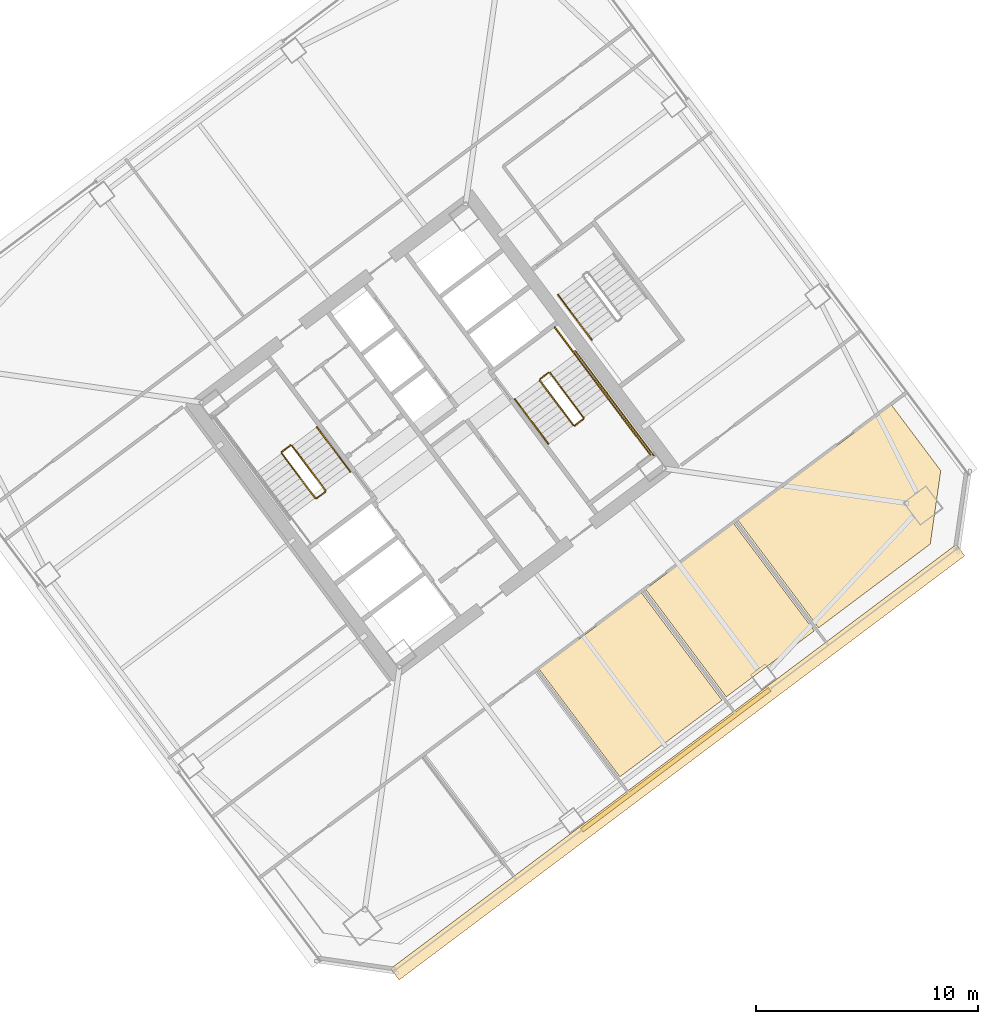
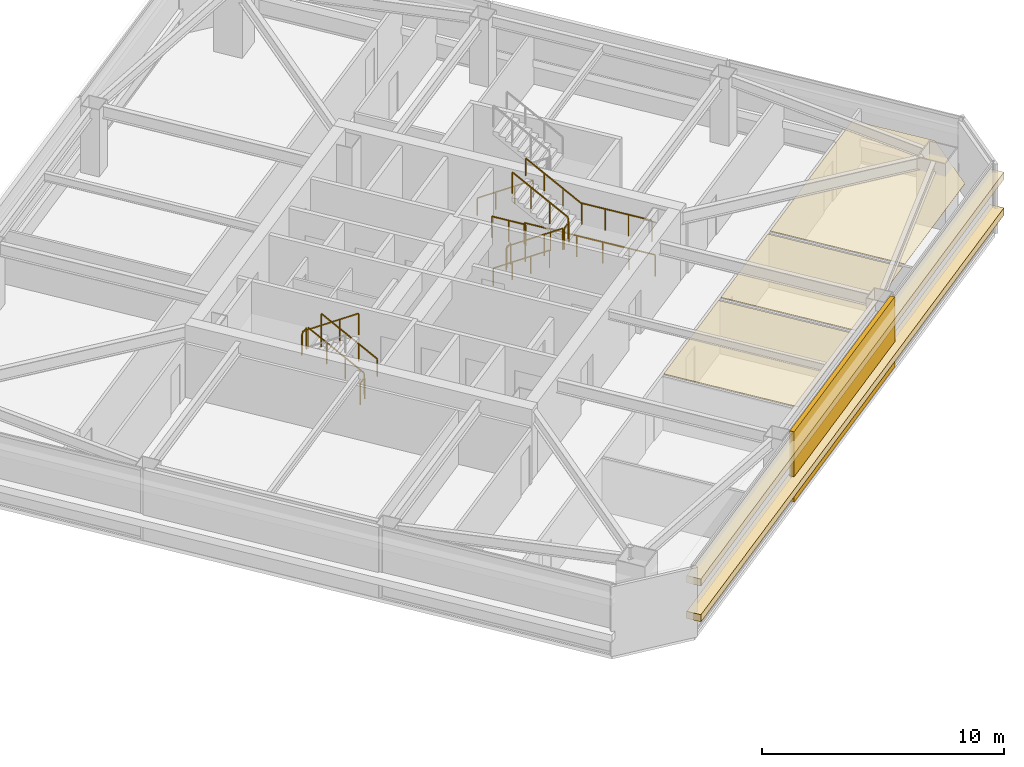
# One storey, part 39 of 41: 15 railings, 6 coverings.
"""IFC4 building model written with IfcOpenShell, lengths in metres."""

from ifc_helpers import new_model, si_unit, direction, frame, origin, origin_2d, place, context, subcontext, project, spatial, polyline, rectangle, outline, extrude, material, layer, layer_set, type_object, element, save


model = new_model("IFC4")

# Units and contexts
model_context = context("Model", 3, precision=1e-05, world=origin(), true_north=direction((0.0, 1.0)))
body_context = subcontext(model_context, "Body", "Model", "MODEL_VIEW")
ifc_project = project(units=[si_unit("LENGTHUNIT", "METRE"), si_unit("AREAUNIT", "SQUARE_METRE"), si_unit("VOLUMEUNIT", "CUBIC_METRE"), si_unit("PLANEANGLEUNIT", "RADIAN"), si_unit("MASSUNIT", "GRAM", prefix="KILO")], contexts=[model_context])

# Site, building, storey
site_placement = place(None, origin())
site = spatial("IfcSite", under=ifc_project, at=site_placement, CompositionType="ELEMENT")
building_placement = place(site_placement, origin())
building = spatial("IfcBuilding", under=site, at=building_placement, Name="Tashvorn Skyway Center", CompositionType="ELEMENT")
storey_placement = place(building_placement, frame((0.0, 0.0, 117.949951171875)))
storey = spatial("IfcBuildingStorey", under=building, at=storey_placement, Name="L31", CompositionType="ELEMENT", Elevation=117.949951171875)

# Coverings
ifc_material_1 = material(Name="Precast concrete C40/50", Category="concrete")
ifc_layer_1 = layer(ifc_material_1, 0.199951171875)
ifc_layer_set_1 = layer_set([ifc_layer_1], Name="Precast concrete C40/50")
covering_type_1 = type_object("IfcCoveringType", Name="COV-BRACE-CLAD", PredefinedType="CLADDING", material=ifc_layer_set_1)
covering_1_placement = place(storey_placement, frame((124.968017578125, 17.3759765625, 0.0), z_axis=(0.0, 0.0, 1.0), x_axis=(-0.799999996291, -0.600000004945, 0.0)))
element("IfcCovering", 1, at=covering_1_placement, inside=storey, type_object=covering_type_1, Name="Tower 2 L31 South Unitised Curtain Wall Mega-Brace Cladding Band 1", PredefinedType="CLADDING", context=body_context, shape_type="SweptSolid", body=[
    extrude(rectangle(XDim=10.586669921875, YDim=0.199951171875, at=origin_2d()), origin(), (0.0, 0.0, 1.0), 3.550048828125),
])
ifc_material_2 = material(Name="Mineral-fibre acoustic ceiling tile on suspended grid")
ifc_layer_2 = layer(ifc_material_2, 0.02001953125)
ifc_layer_set_2 = layer_set([ifc_layer_2], Name="Mineral-fibre acoustic ceiling tile on suspended grid")
covering_type_2 = type_object("IfcCoveringType", Name="COV-CEIL-20", PredefinedType="CEILING", material=ifc_layer_set_2)
covering_2_placement = place(storey_placement, frame((0.0, 0.0, 2.703125)))
element("IfcCovering", 2, at=covering_2_placement, inside=storey, type_object=covering_type_2, Name="Tower 2 L31 Design Studio Acoustic Ceiling", PredefinedType="CEILING", context=body_context, shape_type="SweptSolid", body=[
    extrude(outline(polyline([(118.802001953125, 21.464111328125), (123.409912109375, 24.919921875), (127.052001953125, 20.06396484375), (122.444091796875, 16.60791015625), (118.802001953125, 21.464111328125)])), origin(), (0.0, 0.0, 1.0), 0.02001953125),
])
covering_3_placement = place(storey_placement, frame((0.0, 0.0, 2.703125)))
element("IfcCovering", 3, at=covering_3_placement, inside=storey, type_object=covering_type_2, Name="Tower 2 L31 Reading Lounge Acoustic Ceiling", PredefinedType="CEILING", context=body_context, shape_type="SweptSolid", body=[
    extrude(outline(polyline([(123.60205078125, 25.06396484375), (127.570068359375, 28.0400390625), (131.2119140625, 23.18408203125), (127.243896484375, 20.2080078125), (123.60205078125, 25.06396484375)])), origin(), (0.0, 0.0, 1.0), 0.02001953125),
])
covering_4_placement = place(storey_placement, frame((0.0, 0.0, 2.703125)))
element("IfcCovering", 4, at=covering_4_placement, inside=storey, type_object=covering_type_2, Name="Tower 2 L31 Open Plan Office Acoustic Ceiling", PredefinedType="CEILING", context=body_context, shape_type="SweptSolid", body=[
    extrude(outline(polyline([(131.404052734375, 23.327880859375), (127.761962890625, 28.18408203125), (134.68994140625, 33.3798828125), (136.916015625, 30.412109375), (136.444091796875, 27.10791015625), (131.404052734375, 23.327880859375)])), origin(), (0.0, 0.0, 1.0), 0.02001953125),
])
ifc_material_3 = material(Name="Perforated ceramic-coated bronze aluminium solar screen", Category="aluminium")
ifc_layer_3 = layer(ifc_material_3, 0.85009765625)
ifc_layer_set_3 = layer_set([ifc_layer_3], Name="Perforated ceramic-coated bronze aluminium solar screen")
covering_type_3 = type_object("IfcCoveringType", Name="COV-SOLAR-BAND", PredefinedType="CLADDING", material=ifc_layer_set_3)
for number, where, z_axis, x_axis, name in (
    (5, (125.052001953125, 17.263916015625, 0.919921875), (0.0, 0.0, 1.0), (-0.799999996291, -0.600000004945, 0.0), "L31 Perforated Ceramic-Metal Solar Screen Louvre Band South 1"),
    (6, (125.052001953125, 17.263916015625, 2.72021484375), (0.0, 0.0, 1.0), (-0.799999996291, -0.600000004945, 0.0), "L31 Perforated Ceramic-Metal Solar Screen Louvre Band South 2"),
):
    element("IfcCovering", number, at=place(storey_placement, frame(where, z_axis=z_axis, x_axis=x_axis)), inside=storey, type_object=covering_type_3, Name=name, PredefinedType="CLADDING", context=body_context, shape_type="SweptSolid", body=[
        extrude(rectangle(XDim=31.8798828125, YDim=0.639892578125, at=origin_2d()), origin(), (0.0, 0.0, 1.0), 0.360107421875),
    ])

# Railings
ifc_material_4 = material(Name="Brushed stainless steel 316", Category="steel")
railing_type_1 = type_object("IfcRailingType", Name="RAIL-HAND-920", PredefinedType="HANDRAIL", material=ifc_material_4)
railing_1_placement = place(storey_placement, frame((110.2880859375, 30.365966796875, 0.177490234375)))
element("IfcRailing", 7, at=railing_1_placement, inside=storey, type_object=railing_type_1, Name="L31 ST-T2-1 stair handrail 1", PredefinedType="HANDRAIL", context=body_context, shape_type="SweptSolid", body=[
    extrude(rectangle(XDim=0.048095703125, YDim=0.048095703125, at=origin_2d()), frame((0.0, 0.0, 0.8759765625), z_axis=(-0.506779409603, 0.675651334276, 0.53541563714), x_axis=(-0.799976749893, -0.600030998891, 0.0)), (0.0, 0.0, 1.0), 2.98388671875),
    extrude(rectangle(XDim=0.0419921875, YDim=0.0419921875, at=origin_2d()), origin(), (0.0, 0.0, 1.0), 0.851806640625),
    extrude(rectangle(XDim=0.0419921875, YDim=0.0419921875, at=origin_2d()), frame((-0.504150390625, 0.672119140625, 0.532470703125)), (0.0, 0.0, 1.0), 0.851806640625),
    extrude(rectangle(XDim=0.0419921875, YDim=0.0419921875, at=origin_2d()), frame((-1.008056640625, 1.343994140625, 1.065185546875)), (0.0, 0.0, 1.0), 0.851806640625),
    extrude(rectangle(XDim=0.0419921875, YDim=0.0419921875, at=origin_2d()), frame((-1.51220703125, 2.01611328125, 1.59765625)), (0.0, 0.0, 1.0), 0.851806640625),
])
railing_2_placement = place(storey_placement, frame((117.7119140625, 33.634033203125, 0.177490234375)))
element("IfcRailing", 8, at=railing_2_placement, inside=storey, type_object=railing_type_1, Name="L31 ST-T2-2 stair handrail 1", PredefinedType="HANDRAIL", context=body_context, shape_type="SweptSolid", body=[
    extrude(rectangle(XDim=0.048095703125, YDim=0.048095703125, at=origin_2d()), frame((0.0, 0.0, 0.8759765625), z_axis=(0.506779409603, -0.675651334276, 0.53541563714), x_axis=(0.799976749893, 0.600030998891, 0.0)), (0.0, 0.0, 1.0), 2.98388671875),
    extrude(rectangle(XDim=0.0419921875, YDim=0.0419921875, at=origin_2d()), origin(), (0.0, 0.0, 1.0), 0.851806640625),
    extrude(rectangle(XDim=0.0419921875, YDim=0.0419921875, at=origin_2d()), frame((0.504150390625, -0.672119140625, 0.532470703125)), (0.0, 0.0, 1.0), 0.851806640625),
    extrude(rectangle(XDim=0.0419921875, YDim=0.0419921875, at=origin_2d()), frame((1.008056640625, -1.343994140625, 1.065185546875)), (0.0, 0.0, 1.0), 0.851806640625),
    extrude(rectangle(XDim=0.0419921875, YDim=0.0419921875, at=origin_2d()), frame((1.51220703125, -2.01611328125, 1.59765625)), (0.0, 0.0, 1.0), 0.851806640625),
])
railing_3_placement = place(storey_placement, frame((121.927978515625, 33.64599609375, 1.95263671875)))
element("IfcRailing", 9, at=railing_3_placement, inside=storey, type_object=railing_type_1, Name="L31 ST-T2-2 stair handrail 2", PredefinedType="HANDRAIL", context=body_context, shape_type="SweptSolid", body=[
    extrude(rectangle(XDim=0.048095703125, YDim=0.048095703125, at=origin_2d()), frame((0.0, 0.0, 0.8759765625), z_axis=(-0.506740800098, 0.675708949977, 0.535379469569), x_axis=(-0.800023250257, -0.599968998406, 0.0)), (0.0, 0.0, 1.0), 2.983642578125),
    extrude(rectangle(XDim=0.0419921875, YDim=0.0419921875, at=origin_2d()), origin(), (0.0, 0.0, 1.0), 0.851806640625),
    extrude(rectangle(XDim=0.0419921875, YDim=0.0419921875, at=origin_2d()), frame((-0.50390625, 0.672119140625, 0.532470703125)), (0.0, 0.0, 1.0), 0.851806640625),
    extrude(rectangle(XDim=0.0419921875, YDim=0.0419921875, at=origin_2d()), frame((-1.008056640625, 1.343994140625, 1.06494140625)), (0.0, 0.0, 1.0), 0.851806640625),
    extrude(rectangle(XDim=0.0419921875, YDim=0.0419921875, at=origin_2d()), frame((-1.511962890625, 2.01611328125, 1.597412109375)), (0.0, 0.0, 1.0), 0.851806640625),
])
railing_4_placement = place(storey_placement, frame((119.656005859375, 38.342041015625, 0.177490234375)))
element("IfcRailing", 10, at=railing_4_placement, inside=storey, type_object=railing_type_1, Name="L31 ST-T2-3 stair handrail 1", PredefinedType="HANDRAIL", context=body_context, shape_type="SweptSolid", body=[
    extrude(rectangle(XDim=0.048095703125, YDim=0.048095703125, at=origin_2d()), frame((0.0, 0.0, 0.8759765625), z_axis=(0.506718600913, -0.675679348675, 0.535437836974), x_axis=(0.800023250257, 0.599968998406, 0.0)), (0.0, 0.0, 1.0), 2.98388671875),
    extrude(rectangle(XDim=0.0419921875, YDim=0.0419921875, at=origin_2d()), origin(), (0.0, 0.0, 1.0), 0.851806640625),
    extrude(rectangle(XDim=0.0419921875, YDim=0.0419921875, at=origin_2d()), frame((0.50390625, -0.672119140625, 0.532470703125)), (0.0, 0.0, 1.0), 0.851806640625),
    extrude(rectangle(XDim=0.0419921875, YDim=0.0419921875, at=origin_2d()), frame((1.008056640625, -1.343994140625, 1.065185546875)), (0.0, 0.0, 1.0), 0.851806640625),
    extrude(rectangle(XDim=0.0419921875, YDim=0.0419921875, at=origin_2d()), frame((1.511962890625, -2.01611328125, 1.59765625)), (0.0, 0.0, 1.0), 0.851806640625),
])
ifc_material_5 = material(Name="Painted galvanized steel S355", Category="steel")
railing_type_2 = type_object("IfcRailingType", Name="RAIL-STGUARD-1100", PredefinedType="GUARDRAIL", material=ifc_material_5)
railing_5_placement = place(storey_placement, frame((109.16796875, 29.52587890625, 0.177490234375)))
element("IfcRailing", 11, at=railing_5_placement, inside=storey, type_object=railing_type_2, Name="L31 ST-T2-1 stair guard 1", PredefinedType="GUARDRAIL", context=body_context, shape_type="SweptSolid", body=[
    extrude(rectangle(XDim=0.048095703125, YDim=0.048095703125, at=origin_2d()), frame((0.0, 0.0, 1.076171875), z_axis=(-0.506718600913, 0.675679348675, 0.535437836974), x_axis=(-0.800023250257, -0.599968998406, 0.0)), (0.0, 0.0, 1.0), 2.98388671875),
    extrude(rectangle(XDim=0.0419921875, YDim=0.0419921875, at=origin_2d()), origin(), (0.0, 0.0, 1.0), 1.052001953125),
    extrude(rectangle(XDim=0.0419921875, YDim=0.0419921875, at=origin_2d()), frame((-0.50390625, 0.672119140625, 0.532470703125)), (0.0, 0.0, 1.0), 1.052001953125),
    extrude(rectangle(XDim=0.0419921875, YDim=0.0419921875, at=origin_2d()), frame((-1.008056640625, 1.343994140625, 1.065185546875)), (0.0, 0.0, 1.0), 1.052001953125),
    extrude(rectangle(XDim=0.0419921875, YDim=0.0419921875, at=origin_2d()), frame((-1.511962890625, 2.01611328125, 1.59765625)), (0.0, 0.0, 1.0), 1.052001953125),
])
railing_6_placement = place(storey_placement, frame((107.5859375, 31.552001953125, 1.775146484375)))
element("IfcRailing", 12, at=railing_6_placement, inside=storey, type_object=railing_type_2, Name="L31 ST-T2-1 stair guard 2", PredefinedType="GUARDRAIL", context=body_context, shape_type="SweptSolid", body=[
    extrude(rectangle(XDim=0.048095703125, YDim=0.048095703125, at=origin_2d()), frame((0.0, 0.0, 1.076171875), z_axis=(-0.799938970639, -0.600081363861, 0.0), x_axis=(0.600081363861, -0.799938970639, 0.0)), (0.0, 0.0, 1.0), 0.47998046875),
    extrude(rectangle(XDim=0.0419921875, YDim=0.0419921875, at=origin_2d()), origin(), (0.0, 0.0, 1.0), 1.052001953125),
    extrude(rectangle(XDim=0.0419921875, YDim=0.0419921875, at=origin_2d()), frame((-0.384033203125, -0.2880859375, 0.0)), (0.0, 0.0, 1.0), 1.052001953125),
])
railing_7_placement = place(storey_placement, frame((107.19189453125, 31.194091796875, 1.95263671875)))
element("IfcRailing", 13, at=railing_7_placement, inside=storey, type_object=railing_type_2, Name="L31 ST-T2-1 stair guard 4", PredefinedType="GUARDRAIL", context=body_context, shape_type="SweptSolid", body=[
    extrude(rectangle(XDim=0.048095703125, YDim=0.048095703125, at=origin_2d()), frame((0.0, 0.0, 1.076171875), z_axis=(0.506801609611, -0.675680931896, 0.535357270211), x_axis=(0.799976749893, 0.600030998891, 0.0)), (0.0, 0.0, 1.0), 2.98388671875),
    extrude(rectangle(XDim=0.0419921875, YDim=0.0419921875, at=origin_2d()), origin(), (0.0, 0.0, 1.0), 1.052001953125),
    extrude(rectangle(XDim=0.0419921875, YDim=0.0419921875, at=origin_2d()), frame((0.504150390625, -0.672119140625, 0.532470703125)), (0.0, 0.0, 1.0), 1.052001953125),
    extrude(rectangle(XDim=0.0419921875, YDim=0.0419921875, at=origin_2d()), frame((1.008056640625, -1.343994140625, 1.06494140625)), (0.0, 0.0, 1.0), 1.052001953125),
    extrude(rectangle(XDim=0.0419921875, YDim=0.0419921875, at=origin_2d()), frame((1.51220703125, -2.01611328125, 1.597412109375)), (0.0, 0.0, 1.0), 1.052001953125),
])
railing_8_placement = place(storey_placement, frame((109.157958984375, 29.4560546875, 0.0)))
element("IfcRailing", 14, at=railing_8_placement, inside=storey, type_object=railing_type_2, Name="L31 ST-T2-1 stair guard 5", PredefinedType="GUARDRAIL", context=body_context, shape_type="SweptSolid", body=[
    extrude(rectangle(XDim=0.048095703125, YDim=0.048095703125, at=origin_2d()), frame((0.0, 0.0, 1.076171875), z_axis=(-0.799938970639, -0.600081363861, 0.0), x_axis=(0.600081363861, -0.799938970639, 0.0)), (0.0, 0.0, 1.0), 0.47998046875),
    extrude(rectangle(XDim=0.0419921875, YDim=0.0419921875, at=origin_2d()), origin(), (0.0, 0.0, 1.0), 1.052001953125),
    extrude(rectangle(XDim=0.0419921875, YDim=0.0419921875, at=origin_2d()), frame((-0.384033203125, -0.2880859375, 0.0)), (0.0, 0.0, 1.0), 1.052001953125),
])
railing_9_placement = place(storey_placement, frame((118.83203125, 34.47412109375, 0.177490234375)))
element("IfcRailing", 15, at=railing_9_placement, inside=storey, type_object=railing_type_2, Name="L31 ST-T2-2 stair guard 1", PredefinedType="GUARDRAIL", context=body_context, shape_type="SweptSolid", body=[
    extrude(rectangle(XDim=0.048095703125, YDim=0.048095703125, at=origin_2d()), frame((0.0, 0.0, 1.076171875), z_axis=(0.506718600913, -0.675679348675, 0.535437836974), x_axis=(0.800023250257, 0.599968998406, 0.0)), (0.0, 0.0, 1.0), 2.98388671875),
    extrude(rectangle(XDim=0.0419921875, YDim=0.0419921875, at=origin_2d()), origin(), (0.0, 0.0, 1.0), 1.052001953125),
    extrude(rectangle(XDim=0.0419921875, YDim=0.0419921875, at=origin_2d()), frame((0.50390625, -0.672119140625, 0.532470703125)), (0.0, 0.0, 1.0), 1.052001953125),
    extrude(rectangle(XDim=0.0419921875, YDim=0.0419921875, at=origin_2d()), frame((1.008056640625, -1.343994140625, 1.065185546875)), (0.0, 0.0, 1.0), 1.052001953125),
    extrude(rectangle(XDim=0.0419921875, YDim=0.0419921875, at=origin_2d()), frame((1.511962890625, -2.01611328125, 1.59765625)), (0.0, 0.0, 1.0), 1.052001953125),
])
railing_10_placement = place(storey_placement, frame((120.4140625, 32.447998046875, 1.775146484375)))
element("IfcRailing", 16, at=railing_10_placement, inside=storey, type_object=railing_type_2, Name="L31 ST-T2-2 stair guard 2", PredefinedType="GUARDRAIL", context=body_context, shape_type="SweptSolid", body=[
    extrude(rectangle(XDim=0.048095703125, YDim=0.048095703125, at=origin_2d()), frame((0.0, 0.0, 1.076171875), z_axis=(0.799938970639, 0.600081363861, 0.0), x_axis=(-0.600081363861, 0.799938970639, 0.0)), (0.0, 0.0, 1.0), 0.47998046875),
    extrude(rectangle(XDim=0.0419921875, YDim=0.0419921875, at=origin_2d()), origin(), (0.0, 0.0, 1.0), 1.052001953125),
    extrude(rectangle(XDim=0.0419921875, YDim=0.0419921875, at=origin_2d()), frame((0.384033203125, 0.2880859375, 0.0)), (0.0, 0.0, 1.0), 1.052001953125),
])
railing_11_placement = place(storey_placement, frame((121.927978515625, 33.64599609375, 1.775146484375)))
element("IfcRailing", 17, at=railing_11_placement, inside=storey, type_object=railing_type_2, Name="L31 ST-T2-2 stair guard 3", PredefinedType="GUARDRAIL", context=body_context, shape_type="SweptSolid", body=[
    extrude(rectangle(XDim=0.048095703125, YDim=0.048095703125, at=origin_2d()), frame((0.0, 0.0, 1.076171875), z_axis=(0.599987638607, -0.800009270896, 0.0), x_axis=(0.800009270896, 0.599987638607, 0.0)), (0.0, 0.0, 1.0), 3.16015625),
    extrude(rectangle(XDim=0.0419921875, YDim=0.0419921875, at=origin_2d()), origin(), (0.0, 0.0, 1.0), 1.052001953125),
    extrude(rectangle(XDim=0.0419921875, YDim=0.0419921875, at=origin_2d()), frame((0.632080078125, -0.8427734375, 0.0)), (0.0, 0.0, 1.0), 1.052001953125),
    extrude(rectangle(XDim=0.0419921875, YDim=0.0419921875, at=origin_2d()), frame((1.263916015625, -1.685302734375, 0.0)), (0.0, 0.0, 1.0), 1.052001953125),
    extrude(rectangle(XDim=0.0419921875, YDim=0.0419921875, at=origin_2d()), frame((1.89599609375, -2.528076171875, 0.0)), (0.0, 0.0, 1.0), 1.052001953125),
])
railing_12_placement = place(storey_placement, frame((120.80810546875, 32.805908203125, 1.95263671875)))
element("IfcRailing", 18, at=railing_12_placement, inside=storey, type_object=railing_type_2, Name="L31 ST-T2-2 stair guard 4", PredefinedType="GUARDRAIL", context=body_context, shape_type="SweptSolid", body=[
    extrude(rectangle(XDim=0.048095703125, YDim=0.048095703125, at=origin_2d()), frame((0.0, 0.0, 1.076171875), z_axis=(-0.506801609611, 0.675680931896, 0.535357270211), x_axis=(-0.799976749893, -0.600030998891, 0.0)), (0.0, 0.0, 1.0), 2.98388671875),
    extrude(rectangle(XDim=0.0419921875, YDim=0.0419921875, at=origin_2d()), origin(), (0.0, 0.0, 1.0), 1.052001953125),
    extrude(rectangle(XDim=0.0419921875, YDim=0.0419921875, at=origin_2d()), frame((-0.504150390625, 0.672119140625, 0.532470703125)), (0.0, 0.0, 1.0), 1.052001953125),
    extrude(rectangle(XDim=0.0419921875, YDim=0.0419921875, at=origin_2d()), frame((-1.008056640625, 1.343994140625, 1.06494140625)), (0.0, 0.0, 1.0), 1.052001953125),
    extrude(rectangle(XDim=0.0419921875, YDim=0.0419921875, at=origin_2d()), frame((-1.51220703125, 2.01611328125, 1.597412109375)), (0.0, 0.0, 1.0), 1.052001953125),
])
railing_13_placement = place(storey_placement, frame((118.842041015625, 34.5439453125, 0.0)))
element("IfcRailing", 19, at=railing_13_placement, inside=storey, type_object=railing_type_2, Name="L31 ST-T2-2 stair guard 5", PredefinedType="GUARDRAIL", context=body_context, shape_type="SweptSolid", body=[
    extrude(rectangle(XDim=0.048095703125, YDim=0.048095703125, at=origin_2d()), frame((0.0, 0.0, 1.076171875), z_axis=(0.799938970639, 0.600081363861, 0.0), x_axis=(-0.600081363861, 0.799938970639, 0.0)), (0.0, 0.0, 1.0), 0.47998046875),
    extrude(rectangle(XDim=0.0419921875, YDim=0.0419921875, at=origin_2d()), origin(), (0.0, 0.0, 1.0), 1.052001953125),
    extrude(rectangle(XDim=0.0419921875, YDim=0.0419921875, at=origin_2d()), frame((0.384033203125, 0.2880859375, 0.0)), (0.0, 0.0, 1.0), 1.052001953125),
])
railing_14_placement = place(storey_placement, frame((119.50390625, 36.8779296875, 0.0)))
element("IfcRailing", 20, at=railing_14_placement, inside=storey, type_object=railing_type_2, Name="L31 ST-T2-2 stair guard 6", PredefinedType="GUARDRAIL", context=body_context, shape_type="SweptSolid", body=[
    extrude(rectangle(XDim=0.048095703125, YDim=0.048095703125, at=origin_2d()), frame((0.0, 0.0, 1.076171875), z_axis=(0.600102796382, -0.799922892393, 0.0), x_axis=(0.799922892393, 0.600102796382, 0.0)), (0.0, 0.0, 1.0), 1.52001953125),
    extrude(rectangle(XDim=0.0419921875, YDim=0.0419921875, at=origin_2d()), origin(), (0.0, 0.0, 1.0), 1.052001953125),
    extrude(rectangle(XDim=0.0419921875, YDim=0.0419921875, at=origin_2d()), frame((0.4560546875, -0.60791015625, 0.0)), (0.0, 0.0, 1.0), 1.052001953125),
    extrude(rectangle(XDim=0.0419921875, YDim=0.0419921875, at=origin_2d()), frame((0.912109375, -1.2158203125, 0.0)), (0.0, 0.0, 1.0), 1.052001953125),
])
railing_15_placement = place(storey_placement, frame((120.43603515625, 35.802001953125, 0.0)))
element("IfcRailing", 21, at=railing_15_placement, inside=storey, type_object=railing_type_2, Name="L31 ST-T2-2 stair guard 7", PredefinedType="GUARDRAIL", context=body_context, shape_type="SweptSolid", body=[
    extrude(rectangle(XDim=0.048095703125, YDim=0.048095703125, at=origin_2d()), frame((0.0, 0.0, 1.076171875), z_axis=(0.6, -0.8, 0.0), x_axis=(0.8, 0.6, 0.0)), (0.0, 0.0, 1.0), 5.880126953125),
    extrude(rectangle(XDim=0.0419921875, YDim=0.0419921875, at=origin_2d()), origin(), (0.0, 0.0, 1.0), 1.052001953125),
    extrude(rectangle(XDim=0.0419921875, YDim=0.0419921875, at=origin_2d()), frame((0.70556640625, -0.94091796875, 0.0)), (0.0, 0.0, 1.0), 1.052001953125),
    extrude(rectangle(XDim=0.0419921875, YDim=0.0419921875, at=origin_2d()), frame((1.4111328125, -1.881591796875, 0.0)), (0.0, 0.0, 1.0), 1.052001953125),
    extrude(rectangle(XDim=0.0419921875, YDim=0.0419921875, at=origin_2d()), frame((2.116943359375, -2.822509765625, 0.0)), (0.0, 0.0, 1.0), 1.052001953125),
    extrude(rectangle(XDim=0.0419921875, YDim=0.0419921875, at=origin_2d()), frame((2.822509765625, -3.76318359375, 0.0)), (0.0, 0.0, 1.0), 1.052001953125),
    extrude(rectangle(XDim=0.0419921875, YDim=0.0419921875, at=origin_2d()), frame((3.528076171875, -4.7041015625, 0.0)), (0.0, 0.0, 1.0), 1.052001953125),
])

save(model, "model.ifc")
